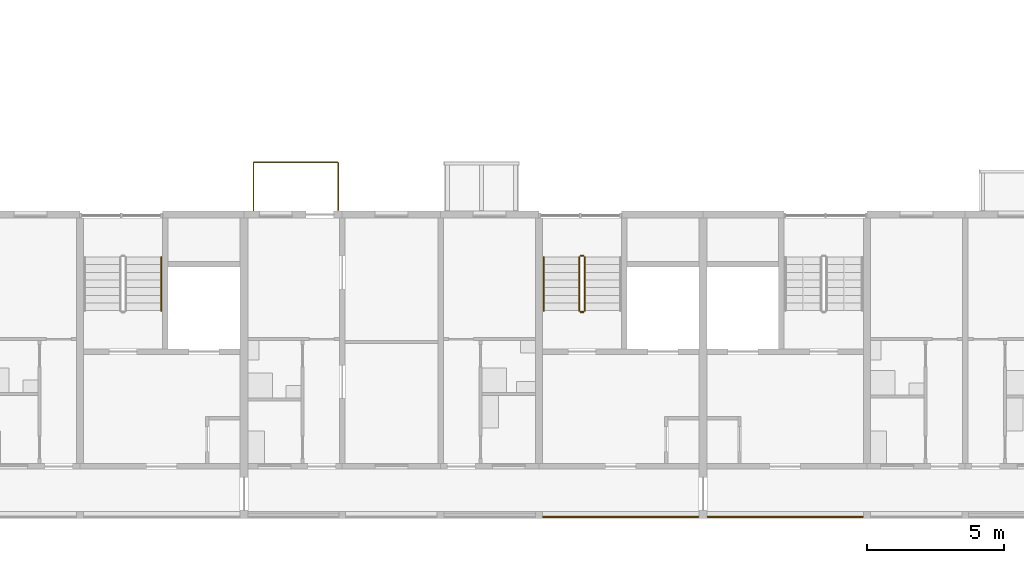
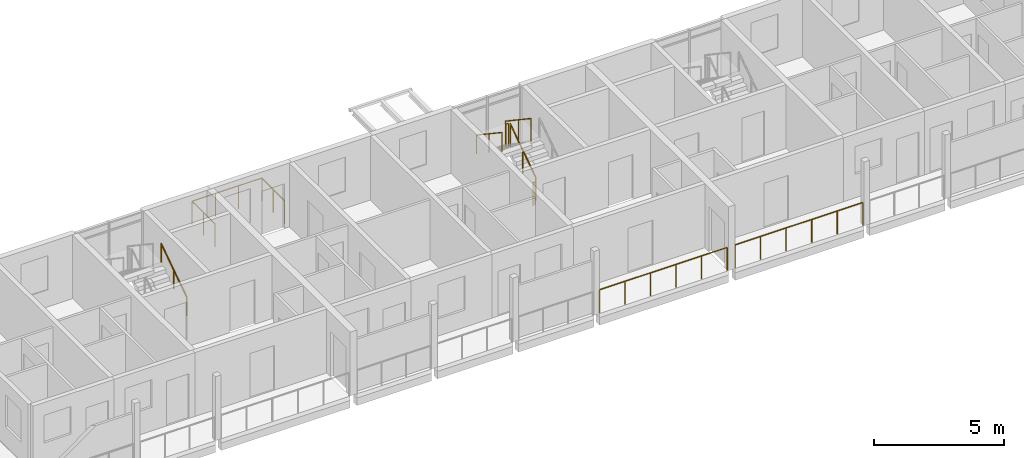
# One storey, part 66 of 78: 9 railings.
"""IFC4 building model written with IfcOpenShell, lengths in metres."""

from ifc_helpers import new_model, si_unit, direction, frame, origin, origin_2d, place, context, subcontext, project, spatial, circle, extrude, material, type_object, element, save


model = new_model("IFC4")

# Units and contexts
model_context = context("Model", 3, precision=1e-05, world=origin(), true_north=direction((0.0, 1.0)))
body_context = subcontext(model_context, "Body", "Model", "MODEL_VIEW")
ifc_project = project(units=[si_unit("LENGTHUNIT", "METRE"), si_unit("AREAUNIT", "SQUARE_METRE"), si_unit("VOLUMEUNIT", "CUBIC_METRE"), si_unit("PLANEANGLEUNIT", "RADIAN"), si_unit("MASSUNIT", "GRAM", prefix="KILO")], contexts=[model_context])

# Site, building, storey
site_placement = place(None, origin())
site = spatial("IfcSite", under=ifc_project, at=site_placement, CompositionType="ELEMENT")
building_placement = place(site_placement, origin())
building = spatial("IfcBuilding", under=site, at=building_placement, Name="Ridgestep Commons", CompositionType="ELEMENT")
storey_placement = place(building_placement, frame((0.0, 0.0, 30.0)))
storey = spatial("IfcBuildingStorey", under=building, at=storey_placement, Name="L10", CompositionType="ELEMENT", Elevation=30.0)

# Railings
ifc_material_1 = material(Name="Structural steel S355JR", Category="steel")
railing_type_1 = type_object("IfcRailingType", Name="Guard 1100", PredefinedType="GUARDRAIL", material=ifc_material_1)
for number, where, name in (
    (1, (90.14599609375, 11.800048828125, 0.0), "Gallery guard A 10.20"),
    (2, (96.1708984375, 11.800048828125, 0.0), "Gallery guard A 10.21"),
):
    element("IfcRailing", number, at=place(storey_placement, frame(where)), inside=storey, type_object=railing_type_1, Name=name, PredefinedType="GUARDRAIL", context=body_context, shape_type="SweptSolid", body=[
        extrude(circle(Radius=0.02392578125, at=origin_2d()), frame((0.0, 0.0, 1.076171875), z_axis=(1.0, 0.0, 0.0), x_axis=(0.0, 1.0, 0.0)), (0.0, 0.0, 1.0), 5.68310546875),
        extrude(circle(Radius=0.02099609375, at=origin_2d()), origin(), (0.0, 0.0, 1.0), 1.052001953125),
        extrude(circle(Radius=0.02099609375, at=origin_2d()), frame((1.13671875, 0.0, 0.0)), (0.0, 0.0, 1.0), 1.052001953125),
        extrude(circle(Radius=0.02099609375, at=origin_2d()), frame((2.273193359375, 0.0, 0.0)), (0.0, 0.0, 1.0), 1.052001953125),
        extrude(circle(Radius=0.02099609375, at=origin_2d()), frame((3.409912109375, 0.0, 0.0)), (0.0, 0.0, 1.0), 1.052001953125),
        extrude(circle(Radius=0.02099609375, at=origin_2d()), frame((4.54638671875, 0.0, 0.0)), (0.0, 0.0, 1.0), 1.052001953125),
        extrude(circle(Radius=0.02099609375, at=origin_2d()), frame((5.68310546875, 0.0, 0.0)), (0.0, 0.0, 1.0), 1.052001953125),
    ])
ifc_material_2 = material(Name="Structural steel S355JR", Category="steel")
railing_type_2 = type_object("IfcRailingType", Name="Stair guard 1100", PredefinedType="GUARDRAIL", material=ifc_material_2)
railing_1_placement = place(storey_placement, frame((91.675048828125, 19.35009765625, 0.1875)))
element("IfcRailing", 3, at=railing_1_placement, inside=storey, type_object=railing_type_2, Name="L10 A5C stair guard 1", PredefinedType="GUARDRAIL", context=body_context, shape_type="SweptSolid", body=[
    extrude(circle(Radius=0.02392578125, at=origin_2d()), frame((0.0, 0.0, 1.076171875), z_axis=(0.0, 0.830902050051, 0.556418712142), x_axis=(-1.0, 0.0, 0.0)), (0.0, 0.0, 1.0), 2.35888671875),
    extrude(circle(Radius=0.02099609375, at=origin_2d()), origin(), (0.0, 0.0, 1.0), 1.052001953125),
    extrude(circle(Radius=0.02099609375, at=origin_2d()), frame((0.0, 0.97998046875, 0.65625)), (0.0, 0.0, 1.0), 1.052001953125),
    extrude(circle(Radius=0.02099609375, at=origin_2d()), frame((0.0, 1.9599609375, 1.3125)), (0.0, 0.0, 1.0), 1.052001953125),
])
railing_2_placement = place(storey_placement, frame((91.625, 21.360107421875, 1.5)))
element("IfcRailing", 4, at=railing_2_placement, inside=storey, type_object=railing_type_2, Name="L10 A5C stair guard 2", PredefinedType="GUARDRAIL", context=body_context, shape_type="SweptSolid", body=[
    extrude(circle(Radius=0.02392578125, at=origin_2d()), frame((0.0, 0.0, 1.076171875), z_axis=(-1.0, 0.0, 0.0), x_axis=(0.0, -1.0, 0.0)), (0.0, 0.0, 1.0), 0.10009765625),
    extrude(circle(Radius=0.02099609375, at=origin_2d()), origin(), (0.0, 0.0, 1.0), 1.052001953125),
    extrude(circle(Radius=0.02099609375, at=origin_2d()), frame((-0.10009765625, 0.0, 0.0)), (0.0, 0.0, 1.0), 1.052001953125),
])
railing_3_placement = place(storey_placement, frame((91.47509765625, 21.31005859375, 1.6875)))
element("IfcRailing", 5, at=railing_3_placement, inside=storey, type_object=railing_type_2, Name="L10 A5C stair guard 3", PredefinedType="GUARDRAIL", context=body_context, shape_type="SweptSolid", body=[
    extrude(circle(Radius=0.02392578125, at=origin_2d()), frame((0.0, 0.0, 1.076171875), z_axis=(0.0, -0.830902050051, 0.556418712142), x_axis=(1.0, 0.0, 0.0)), (0.0, 0.0, 1.0), 2.35888671875),
    extrude(circle(Radius=0.02099609375, at=origin_2d()), origin(), (0.0, 0.0, 1.0), 1.052001953125),
    extrude(circle(Radius=0.02099609375, at=origin_2d()), frame((0.0, -0.97998046875, 0.65625)), (0.0, 0.0, 1.0), 1.052001953125),
    extrude(circle(Radius=0.02099609375, at=origin_2d()), frame((0.0, -1.9599609375, 1.3125)), (0.0, 0.0, 1.0), 1.052001953125),
])
railing_4_placement = place(storey_placement, frame((91.625, 19.300048828125, 0.0)))
element("IfcRailing", 6, at=railing_4_placement, inside=storey, type_object=railing_type_2, Name="L10 A5C stair guard 4", PredefinedType="GUARDRAIL", context=body_context, shape_type="SweptSolid", body=[
    extrude(circle(Radius=0.02392578125, at=origin_2d()), frame((0.0, 0.0, 1.076171875), z_axis=(-1.0, 0.0, 0.0), x_axis=(0.0, -1.0, 0.0)), (0.0, 0.0, 1.0), 0.10009765625),
    extrude(circle(Radius=0.02099609375, at=origin_2d()), origin(), (0.0, 0.0, 1.0), 1.052001953125),
    extrude(circle(Radius=0.02099609375, at=origin_2d()), frame((-0.10009765625, 0.0, 0.0)), (0.0, 0.0, 1.0), 1.052001953125),
])
ifc_material_3 = material(Name="Structural steel S355JR", Category="steel")
railing_type_3 = type_object("IfcRailingType", Name="Stair handrail 900", PredefinedType="HANDRAIL", material=ifc_material_3)
railing_5_placement = place(storey_placement, frame((76.175048828125, 19.35009765625, 0.1875)))
element("IfcRailing", 7, at=railing_5_placement, inside=storey, type_object=railing_type_3, Name="L10 A4C stair handrail 1", PredefinedType="HANDRAIL", context=body_context, shape_type="SweptSolid", body=[
    extrude(circle(Radius=0.02392578125, at=origin_2d()), frame((0.0, 0.0, 0.8759765625), z_axis=(0.0, 0.830902050051, 0.556418712142), x_axis=(-1.0, 0.0, 0.0)), (0.0, 0.0, 1.0), 2.35888671875),
    extrude(circle(Radius=0.02099609375, at=origin_2d()), origin(), (0.0, 0.0, 1.0), 0.851806640625),
    extrude(circle(Radius=0.02099609375, at=origin_2d()), frame((0.0, 0.97998046875, 0.65625)), (0.0, 0.0, 1.0), 0.851806640625),
    extrude(circle(Radius=0.02099609375, at=origin_2d()), frame((0.0, 1.9599609375, 1.3125)), (0.0, 0.0, 1.0), 0.851806640625),
])
railing_6_placement = place(storey_placement, frame((90.175048828125, 21.31005859375, 1.6875)))
element("IfcRailing", 8, at=railing_6_placement, inside=storey, type_object=railing_type_3, Name="L10 A5C stair handrail 2", PredefinedType="HANDRAIL", context=body_context, shape_type="SweptSolid", body=[
    extrude(circle(Radius=0.02392578125, at=origin_2d()), frame((0.0, 0.0, 0.8759765625), z_axis=(0.0, -0.830902050051, 0.556418712142), x_axis=(1.0, 0.0, 0.0)), (0.0, 0.0, 1.0), 2.35888671875),
    extrude(circle(Radius=0.02099609375, at=origin_2d()), origin(), (0.0, 0.0, 1.0), 0.851806640625),
    extrude(circle(Radius=0.02099609375, at=origin_2d()), frame((0.0, -0.97998046875, 0.65625)), (0.0, 0.0, 1.0), 0.851806640625),
    extrude(circle(Radius=0.02099609375, at=origin_2d()), frame((0.0, -1.9599609375, 1.3125)), (0.0, 0.0, 1.0), 0.851806640625),
])
ifc_material_4 = material(Name="Weathering steel S355J2W", Category="steel")
railing_type_4 = type_object("IfcRailingType", Name="Tray guard 1100", PredefinedType="GUARDRAIL", material=ifc_material_4)
railing_7_placement = place(storey_placement, frame((79.551025390625, 23.02099609375, 0.0)))
element("IfcRailing", 9, at=railing_7_placement, inside=storey, type_object=railing_type_4, Name="Tray guard A5T1-10", PredefinedType="GUARDRAIL", context=body_context, shape_type="SweptSolid", body=[
    extrude(circle(Radius=0.02392578125, at=origin_2d()), frame((0.0, 0.0, 1.076171875), z_axis=(0.0, 1.0, 0.0), x_axis=(-1.0, 0.0, 0.0)), (0.0, 0.0, 1.0), 1.758056640625),
    extrude(circle(Radius=0.02392578125, at=origin_2d()), frame((0.0, 1.758056640625, 1.076171875), z_axis=(1.0, 0.0, 0.0), x_axis=(0.0, 1.0, 0.0)), (0.0, 0.0, 1.0), 3.097900390625),
    extrude(circle(Radius=0.02392578125, at=origin_2d()), frame((3.097900390625, 1.758056640625, 1.076171875), z_axis=(0.0, -1.0, 0.0), x_axis=(1.0, 0.0, 0.0)), (0.0, 0.0, 1.0), 1.758056640625),
    extrude(circle(Radius=0.02099609375, at=origin_2d()), origin(), (0.0, 0.0, 1.0), 1.052001953125),
    extrude(circle(Radius=0.02099609375, at=origin_2d()), frame((0.0, 0.87890625, 0.0)), (0.0, 0.0, 1.0), 1.052001953125),
    extrude(circle(Radius=0.02099609375, at=origin_2d()), frame((0.0, 1.758056640625, 0.0)), (0.0, 0.0, 1.0), 1.052001953125),
    extrude(circle(Radius=0.02099609375, at=origin_2d()), frame((1.03271484375, 1.758056640625, 0.0)), (0.0, 0.0, 1.0), 1.052001953125),
    extrude(circle(Radius=0.02099609375, at=origin_2d()), frame((2.065185546875, 1.758056640625, 0.0)), (0.0, 0.0, 1.0), 1.052001953125),
    extrude(circle(Radius=0.02099609375, at=origin_2d()), frame((3.097900390625, 1.758056640625, 0.0)), (0.0, 0.0, 1.0), 1.052001953125),
    extrude(circle(Radius=0.02099609375, at=origin_2d()), frame((3.097900390625, 0.87890625, 0.0)), (0.0, 0.0, 1.0), 1.052001953125),
    extrude(circle(Radius=0.02099609375, at=origin_2d()), frame((3.097900390625, 0.0, 0.0)), (0.0, 0.0, 1.0), 1.052001953125),
])

save(model, "model.ifc")
